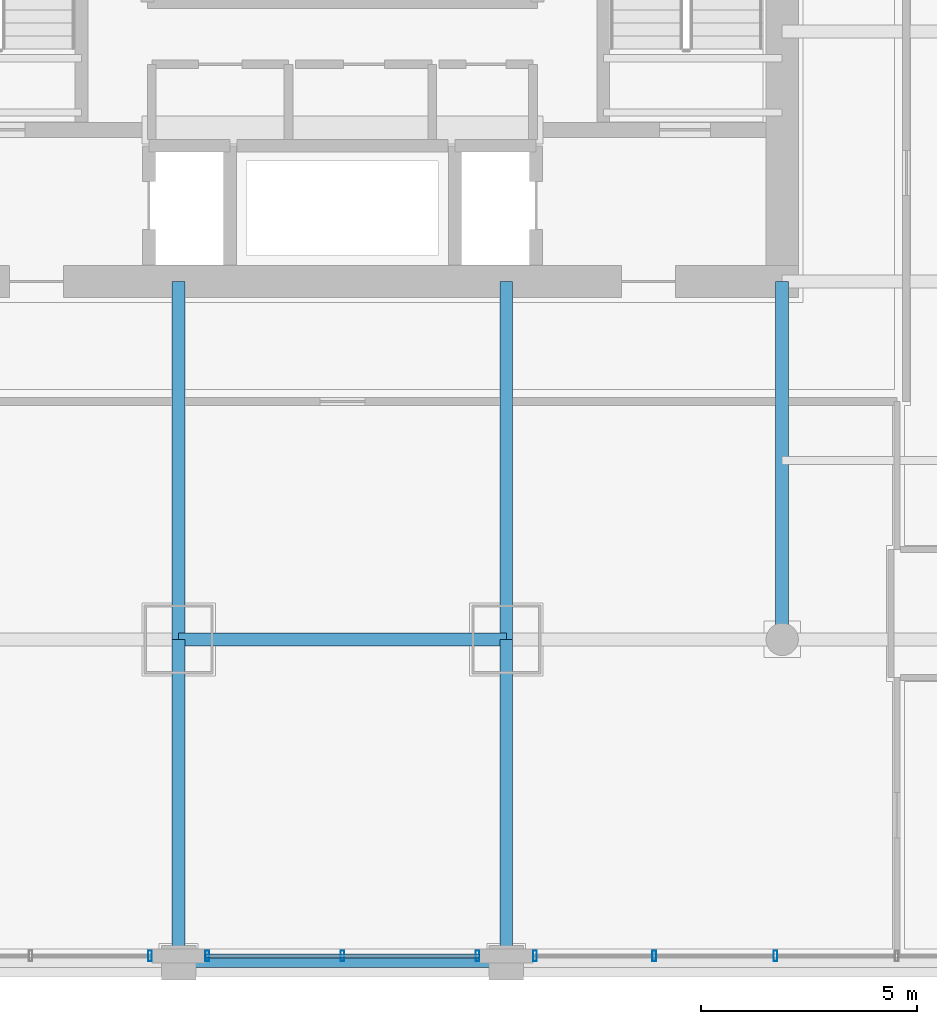
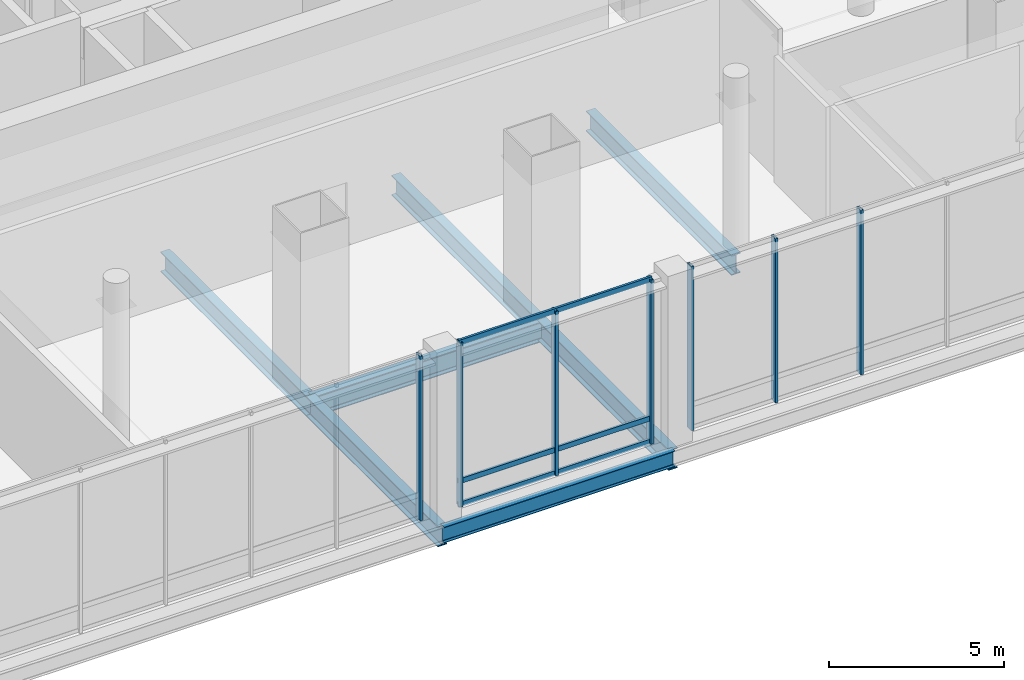
# One storey, part 6 of 38: 10 members, 7 beams, 3 elements without a shape of their own.
"""IFC4 building model written with IfcOpenShell, lengths in metres."""

from ifc_helpers import new_model, si_unit, direction, frame, origin, origin_2d, place, context, subcontext, project, spatial, hollow_rectangle, i_section, extrude, material, material_profile, profile_set, type_object, element, aggregate, save


model = new_model("IFC4")

# Units and contexts
model_context = context("Model", 3, precision=1e-05, world=origin(), true_north=direction((0.0, 1.0)))
body_context = subcontext(model_context, "Body", "Model", "MODEL_VIEW")
ifc_project = project(units=[si_unit("LENGTHUNIT", "METRE"), si_unit("AREAUNIT", "SQUARE_METRE"), si_unit("VOLUMEUNIT", "CUBIC_METRE"), si_unit("PLANEANGLEUNIT", "RADIAN"), si_unit("MASSUNIT", "GRAM", prefix="KILO")], contexts=[model_context])

# Site, building, storey
site_placement = place(None, origin())
site = spatial("IfcSite", under=ifc_project, at=site_placement, CompositionType="ELEMENT")
building_placement = place(site_placement, origin())
building = spatial("IfcBuilding", under=site, at=building_placement, Name="Punatoya Terracotta Tower", CompositionType="ELEMENT")
storey_placement = place(building_placement, frame((0.0, 0.0, 22.199951171875)))
storey = spatial("IfcBuildingStorey", under=building, at=storey_placement, Name="L04", CompositionType="ELEMENT", Elevation=22.199951171875)

# Beams
ifc_material_1 = material(Name="Steel S355", Category="steel")
ifc_material_profile_1 = material_profile(ifc_material_1, i_section(OverallWidth=0.300048828125, OverallDepth=0.699951171875, WebThickness=0.01708984375, FlangeThickness=0.031982421875, FilletRadius=0.01806640625, at=origin_2d()))
ifc_profile_set_1 = profile_set([ifc_material_profile_1], Name="Steel S355")
beam_type_1 = type_object("IfcBeamType", Name="BM-PRI-700", PredefinedType="BEAM", material=ifc_profile_set_1)
beam_1_placement = place(storey_placement, frame((-3.800048828125, -17.5, -0.72998046875), z_axis=(1.0, 0.0, 0.0), x_axis=(0.0, 1.0, 0.0)))
element("IfcBeam", 1, at=beam_1_placement, inside=storey, type_object=beam_type_1, Name="BM-L04-RG-S2", PredefinedType="BEAM", context=body_context, shape_type="SweptSolid", body=[
    extrude(i_section(OverallWidth=0.300048828125, OverallDepth=0.699951171875, WebThickness=0.01708984375, FlangeThickness=0.031982421875, FilletRadius=0.01806640625, at=origin_2d()), origin(), (0.0, 0.0, 1.0), 7.60009765625),
])
for number, where, z_axis, x_axis, name in (
    (2, (-3.800048828125, -17.5, -0.72998046875), (0.0, 1.0, 0.0), (-1.0, 0.0, 0.0), "BM-L04-PR-S2"),
    (3, (3.800048828125, -17.5, -0.72998046875), (0.0, 1.0, 0.0), (-1.0, 0.0, 0.0), "BM-L04-PR-S3"),
    (4, (10.199951171875, -17.5, -0.72998046875), (0.0, 1.0, 0.0), (-1.0, 0.0, 0.0), "BM-L04-PR-S4"),
):
    element("IfcBeam", number, at=place(storey_placement, frame(where, z_axis=z_axis, x_axis=x_axis)), inside=storey, type_object=beam_type_1, Name=name, PredefinedType="BEAM", context=body_context, shape_type="SweptSolid", body=[
        extrude(i_section(OverallWidth=0.300048828125, OverallDepth=0.699951171875, WebThickness=0.01708984375, FlangeThickness=0.031982421875, FilletRadius=0.01806640625, at=origin_2d()), origin(), (0.0, 0.0, 1.0), 8.300048828125),
    ])
for number, where, z_axis, x_axis, name in (
    (5, (-3.800048828125, -25.0, -0.72998046875), (0.0, 1.0, 0.0), (-1.0, 0.0, 0.0), "BM-L04-NS-3-S"),
    (6, (3.800048828125, -25.0, -0.72998046875), (0.0, 1.0, 0.0), (-1.0, 0.0, 0.0), "BM-L04-NS3-S"),
):
    element("IfcBeam", number, at=place(storey_placement, frame(where, z_axis=z_axis, x_axis=x_axis)), inside=storey, type_object=beam_type_1, Name=name, PredefinedType="BEAM", context=body_context, shape_type="SweptSolid", body=[
        extrude(i_section(OverallWidth=0.300048828125, OverallDepth=0.699951171875, WebThickness=0.01708984375, FlangeThickness=0.031982421875, FilletRadius=0.01806640625, at=origin_2d()), origin(), (0.0, 0.0, 1.0), 7.5),
    ])
ifc_material_profile_2 = material_profile(ifc_material_1, i_section(OverallWidth=0.2099609375, OverallDepth=0.550048828125, WebThickness=0.010986328125, FlangeThickness=0.01708984375, FilletRadius=0.01806640625, at=origin_2d()))
ifc_profile_set_2 = profile_set([ifc_material_profile_2], Name="Steel S355")
beam_type_2 = type_object("IfcBeamType", Name="BM-SPN-550", PredefinedType="SPANDREL", material=ifc_profile_set_2)
beam_2_placement = place(storey_placement, frame((-3.800048828125, -25.0, -0.655029296875), z_axis=(1.0, 0.0, 0.0), x_axis=(0.0, 1.0, 0.0)))
element("IfcBeam", 7, at=beam_2_placement, inside=storey, type_object=beam_type_2, Name="BM-L04-MIDA-2", PredefinedType="SPANDREL", context=body_context, shape_type="SweptSolid", body=[
    extrude(i_section(OverallWidth=0.2099609375, OverallDepth=0.550048828125, WebThickness=0.010986328125, FlangeThickness=0.01708984375, FilletRadius=0.01806640625, at=origin_2d()), origin(), (0.0, 0.0, 1.0), 7.60009765625),
])

# Curtain wall, member
ifc_material_2 = material(Name="Aluminium 6063-T6 + Double Low-E Glass", Category="aluminium")
curtain_wall_type = type_object("IfcCurtainWallType", Name="CW-POD", PredefinedType="NOTDEFINED", material=ifc_material_2)
curtain_wall_1_placement = place(storey_placement, origin())
curtain_wall_1 = element("IfcCurtainWall", 8, at=curtain_wall_1_placement, inside=storey, type_object=curtain_wall_type, Name="L04 Curtain Wall CWP-L04-S3", PredefinedType="NOTDEFINED")
ifc_material_3 = material(Name="Aluminium 6063-T6", Category="aluminium")
ifc_material_profile_3 = material_profile(ifc_material_3, hollow_rectangle(XDim=0.0849609375, YDim=0.239990234375, WallThickness=0.0048828125, at=origin_2d()))
ifc_profile_set_3 = profile_set([ifc_material_profile_3], Name="Aluminium 6063-T6")
member_type_1 = type_object("IfcMemberType", Name="CW-MUL-POD", PredefinedType="MULLION", material=ifc_profile_set_3)
member_1_placement = place(storey_placement, frame((-4.465087890625, -24.840087890625, 0.0), z_axis=(0.0, 0.0, 1.0), x_axis=(1.0, 0.0, 0.0)))
member_1 = element("IfcMember", 9, at=member_1_placement, type_object=member_type_1, Name="CWP-L04-S3 Mullion 05", PredefinedType="MULLION", context=body_context, shape_type="SweptSolid", body=[
    extrude(hollow_rectangle(XDim=0.0849609375, YDim=0.239990234375, WallThickness=0.0048828125, at=origin_2d()), origin(), (0.0, 0.0, 1.0), 5.719970703125),
])
aggregate(curtain_wall_1, [member_1])

# Curtain wall, members
curtain_wall_2_placement = place(storey_placement, origin())
curtain_wall_2 = element("IfcCurtainWall", 10, at=curtain_wall_2_placement, inside=storey, type_object=curtain_wall_type, Name="L04 Curtain Wall CWP-L04-S4", PredefinedType="NOTDEFINED")
member_2_placement = place(storey_placement, frame((-3.135009765625, -24.840087890625, 0.0), z_axis=(0.0, 0.0, 1.0), x_axis=(1.0, 0.0, 0.0)))
member_2 = element("IfcMember", 11, at=member_2_placement, type_object=member_type_1, Name="CWP-L04-S4 Mullion 00", PredefinedType="MULLION", context=body_context, shape_type="SweptSolid", body=[
    extrude(hollow_rectangle(XDim=0.0849609375, YDim=0.239990234375, WallThickness=0.0048828125, at=origin_2d()), origin(), (0.0, 0.0, 1.0), 5.719970703125),
])
member_3_placement = place(storey_placement, frame((0.0, -24.840087890625, 0.0), z_axis=(0.0, 0.0, 1.0), x_axis=(1.0, 0.0, 0.0)))
member_3 = element("IfcMember", 12, at=member_3_placement, type_object=member_type_1, Name="CWP-L04-S4 Mullion 01", PredefinedType="MULLION", context=body_context, shape_type="SweptSolid", body=[
    extrude(hollow_rectangle(XDim=0.0849609375, YDim=0.239990234375, WallThickness=0.0048828125, at=origin_2d()), origin(), (0.0, 0.0, 1.0), 5.719970703125),
])
member_4_placement = place(storey_placement, frame((3.135009765625, -24.840087890625, 0.0), z_axis=(0.0, 0.0, 1.0), x_axis=(1.0, 0.0, 0.0)))
member_4 = element("IfcMember", 13, at=member_4_placement, type_object=member_type_1, Name="CWP-L04-S4 Mullion 02", PredefinedType="MULLION", context=body_context, shape_type="SweptSolid", body=[
    extrude(hollow_rectangle(XDim=0.0849609375, YDim=0.239990234375, WallThickness=0.0048828125, at=origin_2d()), origin(), (0.0, 0.0, 1.0), 5.719970703125),
])

curtain_wall_3_placement = place(storey_placement, origin())
curtain_wall_3 = element("IfcCurtainWall", 14, at=curtain_wall_3_placement, inside=storey, type_object=curtain_wall_type, Name="L04 Curtain Wall CWP-L04-S5", PredefinedType="NOTDEFINED")
member_5_placement = place(storey_placement, frame((4.465087890625, -24.840087890625, 0.0), z_axis=(0.0, 0.0, 1.0), x_axis=(1.0, 0.0, 0.0)))
member_5 = element("IfcMember", 15, at=member_5_placement, type_object=member_type_1, Name="CWP-L04-S5 Mullion 00", PredefinedType="MULLION", context=body_context, shape_type="SweptSolid", body=[
    extrude(hollow_rectangle(XDim=0.0849609375, YDim=0.239990234375, WallThickness=0.0048828125, at=origin_2d()), origin(), (0.0, 0.0, 1.0), 5.719970703125),
])
member_6_placement = place(storey_placement, frame((7.23193359375, -24.840087890625, 0.0), z_axis=(0.0, 0.0, 1.0), x_axis=(1.0, 0.0, 0.0)))
member_6 = element("IfcMember", 16, at=member_6_placement, type_object=member_type_1, Name="CWP-L04-S5 Mullion 01", PredefinedType="MULLION", context=body_context, shape_type="SweptSolid", body=[
    extrude(hollow_rectangle(XDim=0.0849609375, YDim=0.239990234375, WallThickness=0.0048828125, at=origin_2d()), origin(), (0.0, 0.0, 1.0), 5.719970703125),
])
member_7_placement = place(storey_placement, frame((10.0439453125, -24.840087890625, 0.0), z_axis=(0.0, 0.0, 1.0), x_axis=(1.0, 0.0, 0.0)))
member_7 = element("IfcMember", 17, at=member_7_placement, type_object=member_type_1, Name="CWP-L04-S5 Mullion 02", PredefinedType="MULLION", context=body_context, shape_type="SweptSolid", body=[
    extrude(hollow_rectangle(XDim=0.0849609375, YDim=0.239990234375, WallThickness=0.0048828125, at=origin_2d()), origin(), (0.0, 0.0, 1.0), 5.719970703125),
])
aggregate(curtain_wall_3, [member_5, member_6, member_7])

# Member
ifc_material_profile_4 = material_profile(ifc_material_3, hollow_rectangle(XDim=0.074951171875, YDim=0.175048828125, WallThickness=0.00439453125, at=origin_2d()))
ifc_profile_set_4 = profile_set([ifc_material_profile_4], Name="Aluminium 6063-T6")
member_type_2 = type_object("IfcMemberType", Name="CW-TRN-POD", PredefinedType="USERDEFINED", material=ifc_profile_set_4)
member_8_placement = place(storey_placement, frame((-3.179931640625, -24.840087890625, 0.0400390625), z_axis=(1.0, 0.0, 0.0), x_axis=(0.0, 1.0, 0.0)))
member_8 = element("IfcMember", 18, at=member_8_placement, type_object=member_type_2, Name="CWP-L04-S4 Transom 1", ObjectType="TRANSOM", PredefinedType="USERDEFINED", context=body_context, shape_type="SweptSolid", body=[
    extrude(hollow_rectangle(XDim=0.074951171875, YDim=0.175048828125, WallThickness=0.00439453125, at=origin_2d()), origin(), (0.0, 0.0, 1.0), 6.35986328125),
])

member_9_placement = place(storey_placement, frame((-3.179931640625, -24.840087890625, 0.85009765625), z_axis=(1.0, 0.0, 0.0), x_axis=(0.0, 1.0, 0.0)))
member_9 = element("IfcMember", 19, at=member_9_placement, type_object=member_type_2, Name="CWP-L04-S4 Transom 2", ObjectType="TRANSOM", PredefinedType="USERDEFINED", context=body_context, shape_type="SweptSolid", body=[
    extrude(hollow_rectangle(XDim=0.074951171875, YDim=0.175048828125, WallThickness=0.00439453125, at=origin_2d()), origin(), (0.0, 0.0, 1.0), 6.35986328125),
])

member_10_placement = place(storey_placement, frame((-3.179931640625, -24.840087890625, 5.679931640625), z_axis=(1.0, 0.0, 0.0), x_axis=(0.0, 1.0, 0.0)))
member_10 = element("IfcMember", 20, at=member_10_placement, type_object=member_type_2, Name="CWP-L04-S4 Transom 3", ObjectType="TRANSOM", PredefinedType="USERDEFINED", context=body_context, shape_type="SweptSolid", body=[
    extrude(hollow_rectangle(XDim=0.074951171875, YDim=0.175048828125, WallThickness=0.00439453125, at=origin_2d()), origin(), (0.0, 0.0, 1.0), 6.35986328125),
])

aggregate(curtain_wall_2, [member_2, member_3, member_4, member_8, member_9, member_10])

save(model, "model.ifc")
